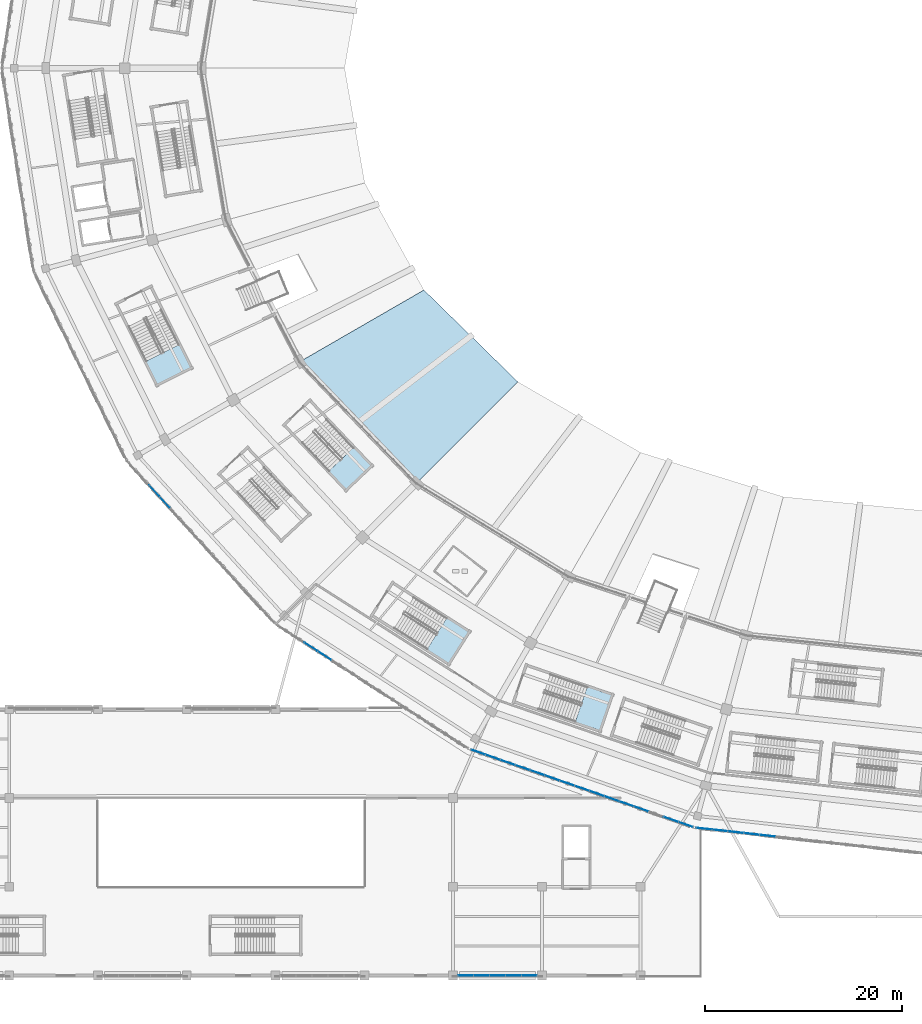
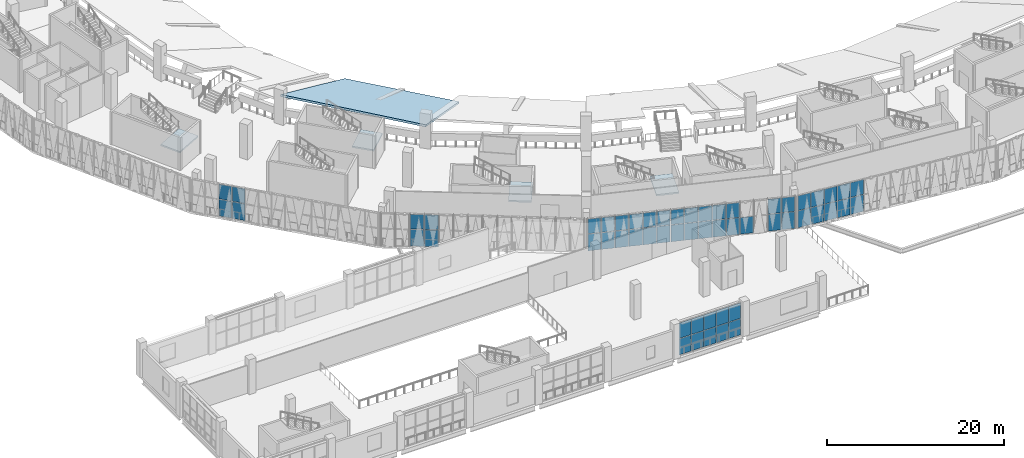
# One storey, part 74 of 183: 55 plates, 5 slabs, 9 elements without a shape of their own.
"""IFC4 building model written with IfcOpenShell, lengths in metres."""

import ifcopenshell
import ifcopenshell.guid

model = None  # the IFC model being written
_history = None  # IfcOwnerHistory: only IFC2X3 demands one
_inside = {}  # id of a spatial element -> (the spatial element, [elements in it])
_under = {}  # id of a project, library or spatial element -> (it, [spatial elements below it])
_declared = {}  # id of a project -> (the project, [libraries it declares])
_typed = {}  # id of a type object -> (the type object, [elements of that type])
_made_of = {}  # id of a material, layer set ... -> (it, [elements and type objects made of it])


def new_model(schema):
    """Start an empty IFC model of exactly this schema.

    Asked for "IFC4X3", IfcOpenShell would pick the latest addendum, in which some entities
    have other attributes; the version numbers below select the first issue.
    IFC2X3 requires an IfcOwnerHistory on every rooted entity: one is made here for all.
    """
    global model, _history
    if schema == "IFC4X3":
        model = ifcopenshell.file(schema_version=(4, 3, 0, 0))
    else:
        model = ifcopenshell.file(schema=schema)
    _inside.clear()
    _under.clear()
    _declared.clear()
    _typed.clear()
    _made_of.clear()
    _history = None
    if model.schema == "IFC2X3":
        org = make("IfcOrganization", Name="unknown")
        user = make(
            "IfcPersonAndOrganization",
            ThePerson=make("IfcPerson", FamilyName="unknown"),
            TheOrganization=org,
        )
        app = make(
            "IfcApplication",
            ApplicationDeveloper=org,
            Version="unknown",
            ApplicationFullName="unknown",
            ApplicationIdentifier="unknown",
        )
        _history = make(
            "IfcOwnerHistory",
            OwningUser=user,
            OwningApplication=app,
            ChangeAction="ADDED",
            CreationDate=0,
        )
    return model


def make(cls, **values):
    """One entity of the class cls with the attributes given. An attribute that is None is left unset."""
    return model.create_entity(
        cls, **{name: value for name, value in values.items() if value is not None}
    )


def rooted(cls, **values):
    """An entity with a GlobalId (a new one), such as an element, a storey or a relation."""
    return make(cls, GlobalId=ifcopenshell.guid.new(), OwnerHistory=_history, **values)


def si_unit(unit_type, name, prefix=None):
    """IfcSIUnit, for example si_unit("LENGTHUNIT", "METRE", prefix="MILLI")."""
    return make("IfcSIUnit", UnitType=unit_type, Prefix=prefix, Name=name)


def assignment(units):
    """IfcUnitAssignment: the units of a project."""
    return None if units is None else make("IfcUnitAssignment", Units=units)


def point(xyz):
    """IfcCartesianPoint."""
    return None if xyz is None else make("IfcCartesianPoint", Coordinates=xyz)


def direction(xyz):
    """IfcDirection."""
    return None if xyz is None else make("IfcDirection", DirectionRatios=xyz)


def frame(location, z_axis=None, x_axis=None):
    """IfcAxis2Placement3D, a coordinate frame: its origin and axes. An axis left out is left unset."""
    return make(
        "IfcAxis2Placement3D",
        Location=point(location),
        Axis=direction(z_axis),
        RefDirection=direction(x_axis),
    )


def frame_2d(location, x_axis=None):
    """IfcAxis2Placement2D, a coordinate frame in the plane: its origin and x axis."""
    return make(
        "IfcAxis2Placement2D", Location=point(location), RefDirection=direction(x_axis)
    )


def origin():
    """The frame at (0, 0, 0) with its axes left unset."""
    return frame((0.0, 0.0, 0.0))


def origin_2d():
    """The frame at (0, 0) in the plane with its x axis left unset."""
    return frame_2d((0.0, 0.0))


def place(relative_to, where):
    """IfcLocalPlacement: puts the frame where relative to a parent placement (None: the world)."""
    return make(
        "IfcLocalPlacement", PlacementRelTo=relative_to, RelativePlacement=where
    )


def context(
    kind, dimensions, precision=None, world=None, true_north=None, identifier=None
):
    """IfcGeometricRepresentationContext, for example the 3D "Model" context."""
    return make(
        "IfcGeometricRepresentationContext",
        ContextIdentifier=identifier,
        ContextType=kind,
        CoordinateSpaceDimension=dimensions,
        Precision=precision,
        WorldCoordinateSystem=world,
        TrueNorth=true_north,
    )


def subcontext(parent, identifier, kind, view, scale=None):
    """IfcGeometricRepresentationSubContext, for example "Body" below "Model"."""
    return make(
        "IfcGeometricRepresentationSubContext",
        ContextIdentifier=identifier,
        ContextType=kind,
        ParentContext=parent,
        TargetScale=scale,
        TargetView=view,
    )


def project(units=None, contexts=None):
    """IfcProject with its units and contexts."""
    return rooted(
        "IfcProject",
        Name="project",
        RepresentationContexts=contexts,
        UnitsInContext=assignment(units),
    )


def spatial(cls, under=None, at=None, **own):
    """A site, building, storey or space (cls), placed at a placement, below another one or the project."""
    s = rooted(cls, ObjectPlacement=at, **own)
    if under is not None:
        _under.setdefault(under.id(), (under, []))[1].append(s)
    return s


def polyline(points):
    """IfcPolyline through the points."""
    return make("IfcPolyline", Points=[point(p) for p in points])


def profile(cls, at=None, kind="AREA", **sizes):
    """A parametric profile (cls). Its sizes go by their IFC names, for example OverallWidth=200.0."""
    return make(cls, ProfileType=kind, Position=at, **sizes)


def rectangle(**sizes):
    """IfcRectangleProfileDef."""
    return profile("IfcRectangleProfileDef", **sizes)


def outline(outer, holes=None, kind="AREA"):
    """IfcArbitraryClosedProfileDef: a profile drawn as a closed curve; with holes, ...WithVoids."""
    if holes is None:
        return make("IfcArbitraryClosedProfileDef", ProfileType=kind, OuterCurve=outer)
    return make(
        "IfcArbitraryProfileDefWithVoids",
        ProfileType=kind,
        OuterCurve=outer,
        InnerCurves=holes,
    )


def extrude(swept, where, along, depth):
    """IfcExtrudedAreaSolid: the profile swept, set in the frame where, extruded along a direction by depth."""
    return make(
        "IfcExtrudedAreaSolid",
        SweptArea=swept,
        Position=where,
        ExtrudedDirection=direction(along),
        Depth=depth,
    )


def shape(context_of_items, identifier, shape_type, items):
    """IfcShapeRepresentation: the items that make up one representation, for example the "Body"."""
    return make(
        "IfcShapeRepresentation",
        ContextOfItems=context_of_items,
        RepresentationIdentifier=identifier,
        RepresentationType=shape_type,
        Items=items,
    )


def material(Name=None, Category=None):
    """IfcMaterial."""
    return make("IfcMaterial", Name=Name, Category=Category)


def layer(
    of_material, thickness, ventilated=None, Name=None, Category=None, Priority=None
):
    """IfcMaterialLayer: one layer of a wall or slab, of a material (None: an air gap)."""
    return make(
        "IfcMaterialLayer",
        Material=of_material,
        LayerThickness=thickness,
        IsVentilated=ventilated,
        Name=Name,
        Category=Category,
        Priority=Priority,
    )


def layer_set(layers, Name=None):
    """IfcMaterialLayerSet."""
    return make("IfcMaterialLayerSet", MaterialLayers=layers, LayerSetName=Name)


def made_of(thing, what):
    """Note that an element or type object is made of a material, layer set ...; save() writes the relation."""
    if what is not None:
        _made_of.setdefault(what.id(), (what, []))[1].append(thing)
    return thing


def type_object(cls, material=None, **own):
    """A type object (cls), such as IfcWallType, which elements share."""
    return made_of(rooted(cls, **own), material)


def element(
    cls,
    number,
    at=None,
    inside=None,
    cuts=None,
    type_object=None,
    material=None,
    context=None,
    identifier="Body",
    shape_type=None,
    held_by="IfcProductDefinitionShape",
    body=None,
    shapes=None,
    **own,
):
    """One element of the class cls, such as IfcWall. Its Tag is "e" and its number.

    at: its placement. inside: the storey or other place that contains it. cuts: it is an
    opening in that element (IfcRelVoidsElement). A single representation is given by context,
    identifier, shape_type and body (its items); several are given by shapes. held_by: the class
    of the entity that holds the representations. save() writes the other relations.
    """
    e = rooted(cls, Tag="e%d" % number, ObjectPlacement=at, **own)
    if body is not None:
        shapes = [shape(context, identifier, shape_type, body)]
    if shapes is not None:
        e.Representation = make(held_by, Representations=shapes)
    if inside is not None:
        _inside.setdefault(inside.id(), (inside, []))[1].append(e)
    if cuts is not None:
        rooted(
            "IfcRelVoidsElement", RelatingBuildingElement=cuts, RelatedOpeningElement=e
        )
    if type_object is not None:
        _typed.setdefault(type_object.id(), (type_object, []))[1].append(e)
    return made_of(e, material)


def aggregate(whole, parts):
    """IfcRelAggregates: a whole, such as a stair, and the parts it consists of."""
    return rooted("IfcRelAggregates", RelatingObject=whole, RelatedObjects=parts)


def save(model, path):
    """Write the relations noted so far, then the file.

    IfcRelAggregates (storeys below a building ...), IfcRelContainedInSpatialStructure (elements
    in a storey), IfcRelDefinesByType, IfcRelAssociatesMaterial and IfcRelDeclares: one each for
    every whole, place, type object, material and project.
    """
    for whole, parts in _under.values():
        aggregate(whole, parts)
    for where, things in _inside.values():
        rooted(
            "IfcRelContainedInSpatialStructure",
            RelatedElements=things,
            RelatingStructure=where,
        )
    for kind, things in _typed.values():
        rooted("IfcRelDefinesByType", RelatedObjects=things, RelatingType=kind)
    for what, things in _made_of.values():
        rooted("IfcRelAssociatesMaterial", RelatedObjects=things, RelatingMaterial=what)
    for by, libraries in _declared.values():
        rooted("IfcRelDeclares", RelatingContext=by, RelatedDefinitions=libraries)
    model.write(path)


model = new_model("IFC4")

# Units and contexts
model_context = context("Model", 3, precision=1e-05, world=origin(), true_north=direction((0.0, 1.0)))
body_context = subcontext(model_context, "Body", "Model", "MODEL_VIEW")
ifc_project = project(units=[si_unit("LENGTHUNIT", "METRE"), si_unit("AREAUNIT", "SQUARE_METRE"), si_unit("VOLUMEUNIT", "CUBIC_METRE"), si_unit("PLANEANGLEUNIT", "RADIAN"), si_unit("MASSUNIT", "GRAM", prefix="KILO")], contexts=[model_context])

# Site, building, storey
site_placement = place(None, origin())
site = spatial("IfcSite", under=ifc_project, at=site_placement, CompositionType="ELEMENT")
building_placement = place(site_placement, origin())
building = spatial("IfcBuilding", under=site, at=building_placement, Name="Zevraka Park Crest Stadium", CompositionType="ELEMENT")
storey_placement = place(building_placement, frame((0.0, 0.0, 5.39990234375)))
storey = spatial("IfcBuildingStorey", under=building, at=storey_placement, Name="L01", CompositionType="ELEMENT", Elevation=5.39990234375)

# Curtain wall, plates
ifc_material_1 = material(Name="Anodised architectural aluminium and laminated safety glass", Category="aluminium")
curtain_wall_type_1 = type_object("IfcCurtainWallType", Name="CW01", PredefinedType="NOTDEFINED", material=ifc_material_1)
curtain_wall_1_placement = place(storey_placement, origin())
curtain_wall_1 = element("IfcCurtainWall", 1, at=curtain_wall_1_placement, inside=storey, type_object=curtain_wall_type_1, Name="Unitised Ring Curtain Wall CW01 L01-17", PredefinedType="NOTDEFINED")
ifc_material_2 = material(Name="Solar-control laminated double glazing", Category="glass")
ifc_layer_1 = layer(ifc_material_2, 0.028076171875)
ifc_layer_set_1 = layer_set([ifc_layer_1], Name="Solar-control laminated double glazing")
plate_type_1 = type_object("IfcPlateType", Name="CP01", PredefinedType="CURTAIN_PANEL", material=ifc_layer_set_1)
plate_1_placement = place(storey_placement, frame((88.435546875, 14.891845703125, 0.06005859375), z_axis=(0.0, 0.0, 1.0), x_axis=(0.993916668414, -0.110134718639, 0.0)))
plate_1 = element("IfcPlate", 2, at=plate_1_placement, type_object=plate_type_1, Name="CW01 panel 1.1", PredefinedType="CURTAIN_PANEL", context=body_context, shape_type="SweptSolid", body=[
    extrude(rectangle(XDim=1.537109375, YDim=0.028076171875, at=origin_2d()), origin(), (0.0, 0.0, 1.0), 2.31005859375),
])
plate_2_placement = place(storey_placement, frame((88.435546875, 14.891845703125, 2.43017578125), z_axis=(0.0, 0.0, 1.0), x_axis=(0.993916668414, -0.110134718639, 0.0)))
plate_2 = element("IfcPlate", 3, at=plate_2_placement, type_object=plate_type_1, Name="CW01 panel 1.2", PredefinedType="CURTAIN_PANEL", context=body_context, shape_type="SweptSolid", body=[
    extrude(rectangle(XDim=1.537109375, YDim=0.028076171875, at=origin_2d()), origin(), (0.0, 0.0, 1.0), 2.030029296875),
])
plate_3_placement = place(storey_placement, frame((90.037841796875, 14.714111328125, 0.06005859375), z_axis=(0.0, 0.0, 1.0), x_axis=(0.993916668414, -0.110134718639, 0.0)))
plate_3 = element("IfcPlate", 4, at=plate_3_placement, type_object=plate_type_1, Name="CW01 panel 2.1", PredefinedType="CURTAIN_PANEL", context=body_context, shape_type="SweptSolid", body=[
    extrude(rectangle(XDim=1.567138671875, YDim=0.028076171875, at=origin_2d()), origin(), (0.0, 0.0, 1.0), 2.31005859375),
])
plate_4_placement = place(storey_placement, frame((90.037841796875, 14.714111328125, 2.43017578125), z_axis=(0.0, 0.0, 1.0), x_axis=(0.993916668414, -0.110134718639, 0.0)))
plate_4 = element("IfcPlate", 5, at=plate_4_placement, type_object=plate_type_1, Name="CW01 panel 2.2", PredefinedType="CURTAIN_PANEL", context=body_context, shape_type="SweptSolid", body=[
    extrude(rectangle(XDim=1.567138671875, YDim=0.028076171875, at=origin_2d()), origin(), (0.0, 0.0, 1.0), 2.030029296875),
])
plate_5_placement = place(storey_placement, frame((91.655029296875, 14.534912109375, 0.06005859375), z_axis=(0.0, 0.0, 1.0), x_axis=(0.993916668414, -0.110134718639, 0.0)))
plate_5 = element("IfcPlate", 6, at=plate_5_placement, type_object=plate_type_1, Name="CW01 panel 3.1", PredefinedType="CURTAIN_PANEL", context=body_context, shape_type="SweptSolid", body=[
    extrude(rectangle(XDim=1.567138671875, YDim=0.028076171875, at=origin_2d()), origin(), (0.0, 0.0, 1.0), 2.31005859375),
])
plate_6_placement = place(storey_placement, frame((91.655029296875, 14.534912109375, 2.43017578125), z_axis=(0.0, 0.0, 1.0), x_axis=(0.993916668414, -0.110134718639, 0.0)))
plate_6 = element("IfcPlate", 7, at=plate_6_placement, type_object=plate_type_1, Name="CW01 panel 3.2", PredefinedType="CURTAIN_PANEL", context=body_context, shape_type="SweptSolid", body=[
    extrude(rectangle(XDim=1.567138671875, YDim=0.028076171875, at=origin_2d()), origin(), (0.0, 0.0, 1.0), 2.030029296875),
])
plate_7_placement = place(storey_placement, frame((93.272216796875, 14.355712890625, 0.06005859375), z_axis=(0.0, 0.0, 1.0), x_axis=(0.993916668414, -0.110134718639, 0.0)))
plate_7 = element("IfcPlate", 8, at=plate_7_placement, type_object=plate_type_1, Name="CW01 panel 4.1", PredefinedType="CURTAIN_PANEL", context=body_context, shape_type="SweptSolid", body=[
    extrude(rectangle(XDim=1.567138671875, YDim=0.028076171875, at=origin_2d()), origin(), (0.0, 0.0, 1.0), 2.31005859375),
])
plate_8_placement = place(storey_placement, frame((93.272216796875, 14.355712890625, 2.43017578125), z_axis=(0.0, 0.0, 1.0), x_axis=(0.993916668414, -0.110134718639, 0.0)))
plate_8 = element("IfcPlate", 9, at=plate_8_placement, type_object=plate_type_1, Name="CW01 panel 4.2", PredefinedType="CURTAIN_PANEL", context=body_context, shape_type="SweptSolid", body=[
    extrude(rectangle(XDim=1.567138671875, YDim=0.028076171875, at=origin_2d()), origin(), (0.0, 0.0, 1.0), 2.030029296875),
])
plate_9_placement = place(storey_placement, frame((94.889404296875, 14.176513671875, 0.06005859375), z_axis=(0.0, 0.0, 1.0), x_axis=(0.993916668414, -0.110134718639, 0.0)))
plate_9 = element("IfcPlate", 10, at=plate_9_placement, type_object=plate_type_1, Name="CW01 panel 5.1", PredefinedType="CURTAIN_PANEL", context=body_context, shape_type="SweptSolid", body=[
    extrude(rectangle(XDim=1.567138671875, YDim=0.028076171875, at=origin_2d()), origin(), (0.0, 0.0, 1.0), 2.31005859375),
])
plate_10_placement = place(storey_placement, frame((94.889404296875, 14.176513671875, 2.43017578125), z_axis=(0.0, 0.0, 1.0), x_axis=(0.993916668414, -0.110134718639, 0.0)))
plate_10 = element("IfcPlate", 11, at=plate_10_placement, type_object=plate_type_1, Name="CW01 panel 5.2", PredefinedType="CURTAIN_PANEL", context=body_context, shape_type="SweptSolid", body=[
    extrude(rectangle(XDim=1.567138671875, YDim=0.028076171875, at=origin_2d()), origin(), (0.0, 0.0, 1.0), 2.030029296875),
])
aggregate(curtain_wall_1, [plate_1, plate_2, plate_3, plate_4, plate_5, plate_6, plate_7, plate_8, plate_9, plate_10])

ifc_material_3 = material(Name="Anodised architectural aluminium and laminated safety glass", Category="aluminium")
curtain_wall_type_2 = type_object("IfcCurtainWallType", Name="CW02", PredefinedType="NOTDEFINED", material=ifc_material_3)
curtain_wall_2_placement = place(storey_placement, origin())
curtain_wall_2 = element("IfcCurtainWall", 12, at=curtain_wall_2_placement, inside=storey, type_object=curtain_wall_type_2, Name="Unitised Ring Curtain Wall CW02 L01-16", PredefinedType="NOTDEFINED")
ifc_material_4 = material(Name="Solar-control laminated double glazing", Category="glass")
ifc_layer_2 = layer(ifc_material_4, 0.028076171875)
ifc_layer_set_2 = layer_set([ifc_layer_2], Name="Solar-control laminated double glazing")
plate_type_2 = type_object("IfcPlateType", Name="CP02", PredefinedType="CURTAIN_PANEL", material=ifc_layer_set_2)
plate_11_placement = place(storey_placement, frame((65.527587890625, 22.652099609375, 0.06494140625), z_axis=(0.0, 0.0, 1.0), x_axis=(0.944256979565, -0.329209289879, 0.0)))
plate_11 = element("IfcPlate", 13, at=plate_11_placement, type_object=plate_type_2, Name="CW02 panel 1.1", PredefinedType="CURTAIN_PANEL", context=body_context, shape_type="SweptSolid", body=[
    extrude(rectangle(XDim=1.498046875, YDim=0.028076171875, at=origin_2d()), origin(), (0.0, 0.0, 1.0), 2.302490234375),
])
plate_12_placement = place(storey_placement, frame((65.527587890625, 22.652099609375, 2.4326171875), z_axis=(0.0, 0.0, 1.0), x_axis=(0.944256979565, -0.329209289879, 0.0)))
plate_12 = element("IfcPlate", 14, at=plate_12_placement, type_object=plate_type_2, Name="CW02 panel 1.2", PredefinedType="CURTAIN_PANEL", context=body_context, shape_type="SweptSolid", body=[
    extrude(rectangle(XDim=1.498046875, YDim=0.028076171875, at=origin_2d()), origin(), (0.0, 0.0, 1.0), 2.0224609375),
])
plate_13_placement = place(storey_placement, frame((67.018798828125, 22.132080078125, 0.06494140625), z_axis=(0.0, 0.0, 1.0), x_axis=(0.944256979565, -0.329209289879, 0.0)))
plate_13 = element("IfcPlate", 15, at=plate_13_placement, type_object=plate_type_2, Name="CW02 panel 2.1", PredefinedType="CURTAIN_PANEL", context=body_context, shape_type="SweptSolid", body=[
    extrude(rectangle(XDim=1.530517578125, YDim=0.028076171875, at=origin_2d()), origin(), (0.0, 0.0, 1.0), 2.302490234375),
])
plate_14_placement = place(storey_placement, frame((67.018798828125, 22.132080078125, 2.4326171875), z_axis=(0.0, 0.0, 1.0), x_axis=(0.944256979565, -0.329209289879, 0.0)))
plate_14 = element("IfcPlate", 16, at=plate_14_placement, type_object=plate_type_2, Name="CW02 panel 2.2", PredefinedType="CURTAIN_PANEL", context=body_context, shape_type="SweptSolid", body=[
    extrude(rectangle(XDim=1.530517578125, YDim=0.028076171875, at=origin_2d()), origin(), (0.0, 0.0, 1.0), 2.0224609375),
])
plate_15_placement = place(storey_placement, frame((68.525390625, 21.60693359375, 0.06494140625), z_axis=(0.0, 0.0, 1.0), x_axis=(0.944256979565, -0.329209289879, 0.0)))
plate_15 = element("IfcPlate", 17, at=plate_15_placement, type_object=plate_type_2, Name="CW02 panel 3.1", PredefinedType="CURTAIN_PANEL", context=body_context, shape_type="SweptSolid", body=[
    extrude(rectangle(XDim=1.530517578125, YDim=0.028076171875, at=origin_2d()), origin(), (0.0, 0.0, 1.0), 2.302490234375),
])
plate_16_placement = place(storey_placement, frame((68.525390625, 21.60693359375, 2.4326171875), z_axis=(0.0, 0.0, 1.0), x_axis=(0.944256979565, -0.329209289879, 0.0)))
plate_16 = element("IfcPlate", 18, at=plate_16_placement, type_object=plate_type_2, Name="CW02 panel 3.2", PredefinedType="CURTAIN_PANEL", context=body_context, shape_type="SweptSolid", body=[
    extrude(rectangle(XDim=1.530517578125, YDim=0.028076171875, at=origin_2d()), origin(), (0.0, 0.0, 1.0), 2.0224609375),
])
plate_17_placement = place(storey_placement, frame((70.031982421875, 21.08154296875, 0.06494140625), z_axis=(0.0, 0.0, 1.0), x_axis=(0.944256979565, -0.329209289879, 0.0)))
plate_17 = element("IfcPlate", 19, at=plate_17_placement, type_object=plate_type_2, Name="CW02 panel 4.1", PredefinedType="CURTAIN_PANEL", context=body_context, shape_type="SweptSolid", body=[
    extrude(rectangle(XDim=1.530517578125, YDim=0.028076171875, at=origin_2d()), origin(), (0.0, 0.0, 1.0), 2.302490234375),
])
plate_18_placement = place(storey_placement, frame((70.031982421875, 21.08154296875, 2.4326171875), z_axis=(0.0, 0.0, 1.0), x_axis=(0.944256979565, -0.329209289879, 0.0)))
plate_18 = element("IfcPlate", 20, at=plate_18_placement, type_object=plate_type_2, Name="CW02 panel 4.2", PredefinedType="CURTAIN_PANEL", context=body_context, shape_type="SweptSolid", body=[
    extrude(rectangle(XDim=1.530517578125, YDim=0.028076171875, at=origin_2d()), origin(), (0.0, 0.0, 1.0), 2.0224609375),
])
plate_19_placement = place(storey_placement, frame((71.538818359375, 20.556396484375, 0.06494140625), z_axis=(0.0, 0.0, 1.0), x_axis=(0.944256979565, -0.329209289879, 0.0)))
plate_19 = element("IfcPlate", 21, at=plate_19_placement, type_object=plate_type_2, Name="CW02 panel 5.1", PredefinedType="CURTAIN_PANEL", context=body_context, shape_type="SweptSolid", body=[
    extrude(rectangle(XDim=1.530517578125, YDim=0.028076171875, at=origin_2d()), origin(), (0.0, 0.0, 1.0), 2.302490234375),
])
plate_20_placement = place(storey_placement, frame((71.538818359375, 20.556396484375, 2.4326171875), z_axis=(0.0, 0.0, 1.0), x_axis=(0.944256979565, -0.329209289879, 0.0)))
plate_20 = element("IfcPlate", 22, at=plate_20_placement, type_object=plate_type_2, Name="CW02 panel 5.2", PredefinedType="CURTAIN_PANEL", context=body_context, shape_type="SweptSolid", body=[
    extrude(rectangle(XDim=1.530517578125, YDim=0.028076171875, at=origin_2d()), origin(), (0.0, 0.0, 1.0), 2.0224609375),
])
plate_21_placement = place(storey_placement, frame((73.04541015625, 20.031005859375, 0.06494140625), z_axis=(0.0, 0.0, 1.0), x_axis=(0.944256979565, -0.329209289879, 0.0)))
plate_21 = element("IfcPlate", 23, at=plate_21_placement, type_object=plate_type_2, Name="CW02 panel 6.1", PredefinedType="CURTAIN_PANEL", context=body_context, shape_type="SweptSolid", body=[
    extrude(rectangle(XDim=1.530517578125, YDim=0.028076171875, at=origin_2d()), origin(), (0.0, 0.0, 1.0), 2.302490234375),
])
plate_22_placement = place(storey_placement, frame((73.04541015625, 20.031005859375, 2.4326171875), z_axis=(0.0, 0.0, 1.0), x_axis=(0.944256979565, -0.329209289879, 0.0)))
plate_22 = element("IfcPlate", 24, at=plate_22_placement, type_object=plate_type_2, Name="CW02 panel 6.2", PredefinedType="CURTAIN_PANEL", context=body_context, shape_type="SweptSolid", body=[
    extrude(rectangle(XDim=1.530517578125, YDim=0.028076171875, at=origin_2d()), origin(), (0.0, 0.0, 1.0), 2.0224609375),
])
plate_23_placement = place(storey_placement, frame((74.552001953125, 19.505859375, 0.06494140625), z_axis=(0.0, 0.0, 1.0), x_axis=(0.944256979565, -0.329209289879, 0.0)))
plate_23 = element("IfcPlate", 25, at=plate_23_placement, type_object=plate_type_2, Name="CW02 panel 7.1", PredefinedType="CURTAIN_PANEL", context=body_context, shape_type="SweptSolid", body=[
    extrude(rectangle(XDim=1.530517578125, YDim=0.028076171875, at=origin_2d()), origin(), (0.0, 0.0, 1.0), 2.302490234375),
])
plate_24_placement = place(storey_placement, frame((74.552001953125, 19.505859375, 2.4326171875), z_axis=(0.0, 0.0, 1.0), x_axis=(0.944256979565, -0.329209289879, 0.0)))
plate_24 = element("IfcPlate", 26, at=plate_24_placement, type_object=plate_type_2, Name="CW02 panel 7.2", PredefinedType="CURTAIN_PANEL", context=body_context, shape_type="SweptSolid", body=[
    extrude(rectangle(XDim=1.530517578125, YDim=0.028076171875, at=origin_2d()), origin(), (0.0, 0.0, 1.0), 2.0224609375),
])
plate_25_placement = place(storey_placement, frame((76.05859375, 18.98046875, 0.06494140625), z_axis=(0.0, 0.0, 1.0), x_axis=(0.944256979565, -0.329209289879, 0.0)))
plate_25 = element("IfcPlate", 27, at=plate_25_placement, type_object=plate_type_2, Name="CW02 panel 8.1", PredefinedType="CURTAIN_PANEL", context=body_context, shape_type="SweptSolid", body=[
    extrude(rectangle(XDim=1.530517578125, YDim=0.028076171875, at=origin_2d()), origin(), (0.0, 0.0, 1.0), 2.302490234375),
])
plate_26_placement = place(storey_placement, frame((76.05859375, 18.98046875, 2.4326171875), z_axis=(0.0, 0.0, 1.0), x_axis=(0.944256979565, -0.329209289879, 0.0)))
plate_26 = element("IfcPlate", 28, at=plate_26_placement, type_object=plate_type_2, Name="CW02 panel 8.2", PredefinedType="CURTAIN_PANEL", context=body_context, shape_type="SweptSolid", body=[
    extrude(rectangle(XDim=1.530517578125, YDim=0.028076171875, at=origin_2d()), origin(), (0.0, 0.0, 1.0), 2.0224609375),
])
plate_27_placement = place(storey_placement, frame((77.565185546875, 18.455322265625, 0.06494140625), z_axis=(0.0, 0.0, 1.0), x_axis=(0.944256979565, -0.329209289879, 0.0)))
plate_27 = element("IfcPlate", 29, at=plate_27_placement, type_object=plate_type_2, Name="CW02 panel 9.1", PredefinedType="CURTAIN_PANEL", context=body_context, shape_type="SweptSolid", body=[
    extrude(rectangle(XDim=1.530517578125, YDim=0.028076171875, at=origin_2d()), origin(), (0.0, 0.0, 1.0), 2.302490234375),
])
plate_28_placement = place(storey_placement, frame((77.565185546875, 18.455322265625, 2.4326171875), z_axis=(0.0, 0.0, 1.0), x_axis=(0.944256979565, -0.329209289879, 0.0)))
plate_28 = element("IfcPlate", 30, at=plate_28_placement, type_object=plate_type_2, Name="CW02 panel 9.2", PredefinedType="CURTAIN_PANEL", context=body_context, shape_type="SweptSolid", body=[
    extrude(rectangle(XDim=1.530517578125, YDim=0.028076171875, at=origin_2d()), origin(), (0.0, 0.0, 1.0), 2.0224609375),
])
plate_29_placement = place(storey_placement, frame((79.07177734375, 17.929931640625, 0.06494140625), z_axis=(0.0, 0.0, 1.0), x_axis=(0.944256979565, -0.329209289879, 0.0)))
plate_29 = element("IfcPlate", 31, at=plate_29_placement, type_object=plate_type_2, Name="CW02 panel 10.1", PredefinedType="CURTAIN_PANEL", context=body_context, shape_type="SweptSolid", body=[
    extrude(rectangle(XDim=1.530517578125, YDim=0.028076171875, at=origin_2d()), origin(), (0.0, 0.0, 1.0), 2.302490234375),
])
plate_30_placement = place(storey_placement, frame((79.07177734375, 17.929931640625, 2.4326171875), z_axis=(0.0, 0.0, 1.0), x_axis=(0.944256979565, -0.329209289879, 0.0)))
plate_30 = element("IfcPlate", 32, at=plate_30_placement, type_object=plate_type_2, Name="CW02 panel 10.2", PredefinedType="CURTAIN_PANEL", context=body_context, shape_type="SweptSolid", body=[
    extrude(rectangle(XDim=1.530517578125, YDim=0.028076171875, at=origin_2d()), origin(), (0.0, 0.0, 1.0), 2.0224609375),
])
plate_31_placement = place(storey_placement, frame((80.578369140625, 17.40478515625, 0.06494140625), z_axis=(0.0, 0.0, 1.0), x_axis=(0.944256979565, -0.329209289879, 0.0)))
plate_31 = element("IfcPlate", 33, at=plate_31_placement, type_object=plate_type_2, Name="CW02 panel 11.1", PredefinedType="CURTAIN_PANEL", context=body_context, shape_type="SweptSolid", body=[
    extrude(rectangle(XDim=1.530517578125, YDim=0.028076171875, at=origin_2d()), origin(), (0.0, 0.0, 1.0), 2.302490234375),
])
plate_32_placement = place(storey_placement, frame((80.578369140625, 17.40478515625, 2.4326171875), z_axis=(0.0, 0.0, 1.0), x_axis=(0.944256979565, -0.329209289879, 0.0)))
plate_32 = element("IfcPlate", 34, at=plate_32_placement, type_object=plate_type_2, Name="CW02 panel 11.2", PredefinedType="CURTAIN_PANEL", context=body_context, shape_type="SweptSolid", body=[
    extrude(rectangle(XDim=1.530517578125, YDim=0.028076171875, at=origin_2d()), origin(), (0.0, 0.0, 1.0), 2.0224609375),
])
plate_33_placement = place(storey_placement, frame((82.0849609375, 16.87939453125, 0.06494140625), z_axis=(0.0, 0.0, 1.0), x_axis=(0.944256979565, -0.329209289879, 0.0)))
plate_33 = element("IfcPlate", 35, at=plate_33_placement, type_object=plate_type_2, Name="CW02 panel 12.1", PredefinedType="CURTAIN_PANEL", context=body_context, shape_type="SweptSolid", body=[
    extrude(rectangle(XDim=1.530517578125, YDim=0.028076171875, at=origin_2d()), origin(), (0.0, 0.0, 1.0), 2.302490234375),
])
plate_34_placement = place(storey_placement, frame((85.09814453125, 15.828857421875, 0.06494140625), z_axis=(0.0, 0.0, 1.0), x_axis=(0.944256979565, -0.329209289879, 0.0)))
plate_34 = element("IfcPlate", 36, at=plate_34_placement, type_object=plate_type_2, Name="CW02 panel 14.1", PredefinedType="CURTAIN_PANEL", context=body_context, shape_type="SweptSolid", body=[
    extrude(rectangle(XDim=1.530517578125, YDim=0.028076171875, at=origin_2d()), origin(), (0.0, 0.0, 1.0), 2.302490234375),
])
plate_35_placement = place(storey_placement, frame((85.09814453125, 15.828857421875, 2.4326171875), z_axis=(0.0, 0.0, 1.0), x_axis=(0.944256979565, -0.329209289879, 0.0)))
plate_35 = element("IfcPlate", 37, at=plate_35_placement, type_object=plate_type_2, Name="CW02 panel 14.2", PredefinedType="CURTAIN_PANEL", context=body_context, shape_type="SweptSolid", body=[
    extrude(rectangle(XDim=1.530517578125, YDim=0.028076171875, at=origin_2d()), origin(), (0.0, 0.0, 1.0), 2.0224609375),
])
plate_36_placement = place(storey_placement, frame((86.58935546875, 15.30908203125, 0.06494140625), z_axis=(0.0, 0.0, 1.0), x_axis=(0.944256979565, -0.329209289879, 0.0)))
plate_36 = element("IfcPlate", 38, at=plate_36_placement, type_object=plate_type_2, Name="CW02 panel 15.1", PredefinedType="CURTAIN_PANEL", context=body_context, shape_type="SweptSolid", body=[
    extrude(rectangle(XDim=1.498046875, YDim=0.028076171875, at=origin_2d()), origin(), (0.0, 0.0, 1.0), 2.302490234375),
])
plate_37_placement = place(storey_placement, frame((86.58935546875, 15.30908203125, 2.4326171875), z_axis=(0.0, 0.0, 1.0), x_axis=(0.944256979565, -0.329209289879, 0.0)))
plate_37 = element("IfcPlate", 39, at=plate_37_placement, type_object=plate_type_2, Name="CW02 panel 15.2", PredefinedType="CURTAIN_PANEL", context=body_context, shape_type="SweptSolid", body=[
    extrude(rectangle(XDim=1.498046875, YDim=0.028076171875, at=origin_2d()), origin(), (0.0, 0.0, 1.0), 2.0224609375),
])
aggregate(curtain_wall_2, [plate_11, plate_12, plate_13, plate_14, plate_15, plate_16, plate_17, plate_18, plate_19, plate_20, plate_21, plate_22, plate_23, plate_24, plate_25, plate_26, plate_27, plate_28, plate_29, plate_30, plate_31, plate_32, plate_33, plate_34, plate_35, plate_36, plate_37])

ifc_material_5 = material(Name="Anodised architectural aluminium and laminated safety glass", Category="aluminium")
curtain_wall_type_3 = type_object("IfcCurtainWallType", Name="CW03", PredefinedType="NOTDEFINED", material=ifc_material_5)
curtain_wall_3_placement = place(storey_placement, origin())
curtain_wall_3 = element("IfcCurtainWall", 40, at=curtain_wall_3_placement, inside=storey, type_object=curtain_wall_type_3, Name="Unitised Ring Curtain Wall CW03 L01-14", PredefinedType="NOTDEFINED")
ifc_material_6 = material(Name="Solar-control laminated double glazing", Category="glass")
ifc_layer_3 = layer(ifc_material_6, 0.028076171875)
ifc_layer_set_3 = layer_set([ifc_layer_3], Name="Solar-control laminated double glazing")
plate_type_3 = type_object("IfcPlateType", Name="CP03", PredefinedType="CURTAIN_PANEL", material=ifc_layer_set_3)
plate_38_placement = place(storey_placement, frame((32.710693359375, 49.1357421875, 0.070068359375), z_axis=(0.0, 0.0, 1.0), x_axis=(0.673679672672, -0.739023476371, 0.0)))
plate_38 = element("IfcPlate", 41, at=plate_38_placement, type_object=plate_type_3, Name="CW03 panel 3.1", PredefinedType="CURTAIN_PANEL", context=body_context, shape_type="SweptSolid", body=[
    extrude(rectangle(XDim=1.50732421875, YDim=0.028076171875, at=origin_2d()), origin(), (0.0, 0.0, 1.0), 2.294921875),
])
plate_39_placement = place(storey_placement, frame((32.710693359375, 49.1357421875, 2.43505859375), z_axis=(0.0, 0.0, 1.0), x_axis=(0.673679672672, -0.739023476371, 0.0)))
plate_39 = element("IfcPlate", 42, at=plate_39_placement, type_object=plate_type_3, Name="CW03 panel 3.2", PredefinedType="CURTAIN_PANEL", context=body_context, shape_type="SweptSolid", body=[
    extrude(rectangle(XDim=1.50732421875, YDim=0.028076171875, at=origin_2d()), origin(), (0.0, 0.0, 1.0), 2.014892578125),
])
plate_40_placement = place(storey_placement, frame((33.773193359375, 47.969970703125, 0.070068359375), z_axis=(0.0, 0.0, 1.0), x_axis=(0.673679672672, -0.739023476371, 0.0)))
plate_40 = element("IfcPlate", 43, at=plate_40_placement, type_object=plate_type_3, Name="CW03 panel 4.1", PredefinedType="CURTAIN_PANEL", context=body_context, shape_type="SweptSolid", body=[
    extrude(rectangle(XDim=1.50732421875, YDim=0.028076171875, at=origin_2d()), origin(), (0.0, 0.0, 1.0), 2.294921875),
])
plate_41_placement = place(storey_placement, frame((33.773193359375, 47.969970703125, 2.43505859375), z_axis=(0.0, 0.0, 1.0), x_axis=(0.673679672672, -0.739023476371, 0.0)))
plate_41 = element("IfcPlate", 44, at=plate_41_placement, type_object=plate_type_3, Name="CW03 panel 4.2", PredefinedType="CURTAIN_PANEL", context=body_context, shape_type="SweptSolid", body=[
    extrude(rectangle(XDim=1.50732421875, YDim=0.028076171875, at=origin_2d()), origin(), (0.0, 0.0, 1.0), 2.014892578125),
])
aggregate(curtain_wall_3, [plate_38, plate_39, plate_40, plate_41])

curtain_wall_4_placement = place(storey_placement, origin())
curtain_wall_4 = element("IfcCurtainWall", 45, at=curtain_wall_4_placement, inside=storey, type_object=curtain_wall_type_3, Name="Unitised Ring Curtain Wall CW03 L01-15", PredefinedType="NOTDEFINED")
plate_42_placement = place(storey_placement, frame((48.591064453125, 33.326416015625, 0.070068359375), z_axis=(0.0, 0.0, 1.0), x_axis=(0.840010186018, -0.542570628938, 0.0)))
plate_42 = element("IfcPlate", 46, at=plate_42_placement, type_object=plate_type_3, Name="CW03 panel 3.1", PredefinedType="CURTAIN_PANEL", context=body_context, shape_type="SweptSolid", body=[
    extrude(rectangle(XDim=1.57958984375, YDim=0.028076171875, at=origin_2d()), origin(), (0.0, 0.0, 1.0), 2.294921875),
])
plate_43_placement = place(storey_placement, frame((48.591064453125, 33.326416015625, 2.43505859375), z_axis=(0.0, 0.0, 1.0), x_axis=(0.840010186018, -0.542570628938, 0.0)))
plate_43 = element("IfcPlate", 47, at=plate_43_placement, type_object=plate_type_3, Name="CW03 panel 3.2", PredefinedType="CURTAIN_PANEL", context=body_context, shape_type="SweptSolid", body=[
    extrude(rectangle(XDim=1.57958984375, YDim=0.028076171875, at=origin_2d()), origin(), (0.0, 0.0, 1.0), 2.014892578125),
])
plate_44_placement = place(storey_placement, frame((49.976806640625, 32.431396484375, 0.070068359375), z_axis=(0.0, 0.0, 1.0), x_axis=(0.840010186018, -0.542570628938, 0.0)))
plate_44 = element("IfcPlate", 48, at=plate_44_placement, type_object=plate_type_3, Name="CW03 panel 4.1", PredefinedType="CURTAIN_PANEL", context=body_context, shape_type="SweptSolid", body=[
    extrude(rectangle(XDim=1.57958984375, YDim=0.028076171875, at=origin_2d()), origin(), (0.0, 0.0, 1.0), 2.294921875),
])
plate_45_placement = place(storey_placement, frame((49.976806640625, 32.431396484375, 2.43505859375), z_axis=(0.0, 0.0, 1.0), x_axis=(0.840010186018, -0.542570628938, 0.0)))
plate_45 = element("IfcPlate", 49, at=plate_45_placement, type_object=plate_type_3, Name="CW03 panel 4.2", PredefinedType="CURTAIN_PANEL", context=body_context, shape_type="SweptSolid", body=[
    extrude(rectangle(XDim=1.57958984375, YDim=0.028076171875, at=origin_2d()), origin(), (0.0, 0.0, 1.0), 2.014892578125),
])
aggregate(curtain_wall_4, [plate_42, plate_43, plate_44, plate_45])

ifc_material_7 = material(Name="Anodised architectural aluminium and laminated safety glass", Category="aluminium")
curtain_wall_type_4 = type_object("IfcCurtainWallType", Name="CW28", PredefinedType="NOTDEFINED", material=ifc_material_7)
curtain_wall_5_placement = place(storey_placement, origin())
curtain_wall_5 = element("IfcCurtainWall", 50, at=curtain_wall_5_placement, inside=storey, type_object=curtain_wall_type_4, Name="Wing Curtain Wall CW28 L01-SW-S1-2", PredefinedType="NOTDEFINED")
ifc_material_8 = material(Name="Solar-control laminated double glazing", Category="glass")
ifc_layer_4 = layer(ifc_material_8, 0.035888671875)
ifc_layer_set_4 = layer_set([ifc_layer_4], Name="Solar-control laminated double glazing")
plate_type_4 = type_object("IfcPlateType", Name="CP28", PredefinedType="CURTAIN_PANEL", material=ifc_layer_set_4)
plate_46_placement = place(storey_placement, frame((70.73291015625, 0.0, 0.06005859375), z_axis=(0.0, 0.0, 1.0), x_axis=(-1.0, 0.0, 0.0)))
plate_46 = element("IfcPlate", 51, at=plate_46_placement, type_object=plate_type_4, Name="CW28 panel 1.1", PredefinedType="CURTAIN_PANEL", context=body_context, shape_type="SweptSolid", body=[
    extrude(rectangle(XDim=1.533935546875, YDim=0.035888671875, at=origin_2d()), origin(), (0.0, 0.0, 1.0), 2.2099609375),
])
plate_47_placement = place(storey_placement, frame((70.73291015625, 0.0, 2.330078125), z_axis=(0.0, 0.0, 1.0), x_axis=(-1.0, 0.0, 0.0)))
plate_47 = element("IfcPlate", 52, at=plate_47_placement, type_object=plate_type_4, Name="CW28 panel 1.2", PredefinedType="CURTAIN_PANEL", context=body_context, shape_type="SweptSolid", body=[
    extrude(rectangle(XDim=1.533935546875, YDim=0.035888671875, at=origin_2d()), origin(), (0.0, 0.0, 1.0), 2.1298828125),
])
plate_48_placement = place(storey_placement, frame((69.1240234375, 0.0, 0.06005859375), z_axis=(0.0, 0.0, 1.0), x_axis=(-1.0, 0.0, 0.0)))
plate_48 = element("IfcPlate", 53, at=plate_48_placement, type_object=plate_type_4, Name="CW28 panel 2.1", PredefinedType="CURTAIN_PANEL", context=body_context, shape_type="SweptSolid", body=[
    extrude(rectangle(XDim=1.56396484375, YDim=0.035888671875, at=origin_2d()), origin(), (0.0, 0.0, 1.0), 2.2099609375),
])
plate_49_placement = place(storey_placement, frame((69.1240234375, 0.0, 2.330078125), z_axis=(0.0, 0.0, 1.0), x_axis=(-1.0, 0.0, 0.0)))
plate_49 = element("IfcPlate", 54, at=plate_49_placement, type_object=plate_type_4, Name="CW28 panel 2.2", PredefinedType="CURTAIN_PANEL", context=body_context, shape_type="SweptSolid", body=[
    extrude(rectangle(XDim=1.56396484375, YDim=0.035888671875, at=origin_2d()), origin(), (0.0, 0.0, 1.0), 2.1298828125),
])
plate_50_placement = place(storey_placement, frame((67.5, 0.0, 0.06005859375), z_axis=(0.0, 0.0, 1.0), x_axis=(-1.0, 0.0, 0.0)))
plate_50 = element("IfcPlate", 55, at=plate_50_placement, type_object=plate_type_4, Name="CW28 panel 3.1", PredefinedType="CURTAIN_PANEL", context=body_context, shape_type="SweptSolid", body=[
    extrude(rectangle(XDim=1.56396484375, YDim=0.035888671875, at=origin_2d()), origin(), (0.0, 0.0, 1.0), 2.2099609375),
])
plate_51_placement = place(storey_placement, frame((67.5, 0.0, 2.330078125), z_axis=(0.0, 0.0, 1.0), x_axis=(-1.0, 0.0, 0.0)))
plate_51 = element("IfcPlate", 56, at=plate_51_placement, type_object=plate_type_4, Name="CW28 panel 3.2", PredefinedType="CURTAIN_PANEL", context=body_context, shape_type="SweptSolid", body=[
    extrude(rectangle(XDim=1.56396484375, YDim=0.035888671875, at=origin_2d()), origin(), (0.0, 0.0, 1.0), 2.1298828125),
])
plate_52_placement = place(storey_placement, frame((65.8759765625, 0.0, 0.06005859375), z_axis=(0.0, 0.0, 1.0), x_axis=(-1.0, 0.0, 0.0)))
plate_52 = element("IfcPlate", 57, at=plate_52_placement, type_object=plate_type_4, Name="CW28 panel 4.1", PredefinedType="CURTAIN_PANEL", context=body_context, shape_type="SweptSolid", body=[
    extrude(rectangle(XDim=1.56396484375, YDim=0.035888671875, at=origin_2d()), origin(), (0.0, 0.0, 1.0), 2.2099609375),
])
plate_53_placement = place(storey_placement, frame((65.8759765625, 0.0, 2.330078125), z_axis=(0.0, 0.0, 1.0), x_axis=(-1.0, 0.0, 0.0)))
plate_53 = element("IfcPlate", 58, at=plate_53_placement, type_object=plate_type_4, Name="CW28 panel 4.2", PredefinedType="CURTAIN_PANEL", context=body_context, shape_type="SweptSolid", body=[
    extrude(rectangle(XDim=1.56396484375, YDim=0.035888671875, at=origin_2d()), origin(), (0.0, 0.0, 1.0), 2.1298828125),
])
plate_54_placement = place(storey_placement, frame((64.26708984375, 0.0, 0.06005859375), z_axis=(0.0, 0.0, 1.0), x_axis=(-1.0, 0.0, 0.0)))
plate_54 = element("IfcPlate", 59, at=plate_54_placement, type_object=plate_type_4, Name="CW28 panel 5.1", PredefinedType="CURTAIN_PANEL", context=body_context, shape_type="SweptSolid", body=[
    extrude(rectangle(XDim=1.533935546875, YDim=0.035888671875, at=origin_2d()), origin(), (0.0, 0.0, 1.0), 2.2099609375),
])
plate_55_placement = place(storey_placement, frame((64.26708984375, 0.0, 2.330078125), z_axis=(0.0, 0.0, 1.0), x_axis=(-1.0, 0.0, 0.0)))
plate_55 = element("IfcPlate", 60, at=plate_55_placement, type_object=plate_type_4, Name="CW28 panel 5.2", PredefinedType="CURTAIN_PANEL", context=body_context, shape_type="SweptSolid", body=[
    extrude(rectangle(XDim=1.533935546875, YDim=0.035888671875, at=origin_2d()), origin(), (0.0, 0.0, 1.0), 2.1298828125),
])
aggregate(curtain_wall_5, [plate_46, plate_47, plate_48, plate_49, plate_50, plate_51, plate_52, plate_53, plate_54, plate_55])

# Stair, slab
ifc_material_9 = material(Name="Concrete C35/45", Category="concrete")
stair_type_1 = type_object("IfcStairType", Name="STA2", PredefinedType="HALF_TURN_STAIR", material=ifc_material_9)
stair_1_placement = place(storey_placement, origin())
stair_1 = element("IfcStair", 61, at=stair_1_placement, inside=storey, type_object=stair_type_1, Name="L01 Protected Concourse Exit Stair ST14", PredefinedType="HALF_TURN_STAIR")
ifc_material_10 = material(Name="Concrete C35/45", Category="concrete")
ifc_layer_5 = layer(ifc_material_10, 0.199951171875)
ifc_layer_set_5 = layer_set([ifc_layer_5], Name="Concrete C35/45")
slab_type_1 = type_object("IfcSlabType", Name="LS01", PredefinedType="LANDING", material=ifc_layer_set_5)
slab_1_placement = place(storey_placement, frame((0.0, 0.0, 2.2001953125)))
slab_1 = element("IfcSlab", 62, at=slab_1_placement, type_object=slab_type_1, Name="ST14 landing 1", PredefinedType="LANDING", context=body_context, shape_type="SweptSolid", body=[
    extrude(outline(polyline([(31.853515625, 62.280029296875), (33.022705078125, 59.946533203125), (36.38427734375, 61.630859375), (35.21533203125, 63.96435546875), (31.853515625, 62.280029296875)])), origin(), (0.0, 0.0, 1.0), 0.199951171875),
])
aggregate(stair_1, [slab_1])

stair_2_placement = place(storey_placement, origin())
stair_2 = element("IfcStair", 63, at=stair_2_placement, inside=storey, type_object=stair_type_1, Name="L01 Protected Concourse Exit Stair ST16", PredefinedType="HALF_TURN_STAIR")
slab_2_placement = place(storey_placement, frame((0.0, 0.0, 2.2001953125)))
slab_2 = element("IfcSlab", 64, at=slab_2_placement, type_object=slab_type_1, Name="ST16 landing 1", PredefinedType="LANDING", context=body_context, shape_type="SweptSolid", body=[
    extrude(outline(polyline([(60.341796875, 33.069091796875), (62.5458984375, 31.670654296875), (64.56005859375, 34.845703125), (62.356201171875, 36.243896484375), (60.341796875, 33.069091796875)])), origin(), (0.0, 0.0, 1.0), 0.199951171875),
])
aggregate(stair_2, [slab_2])

stair_3_placement = place(storey_placement, origin())
stair_3 = element("IfcStair", 65, at=stair_3_placement, inside=storey, type_object=stair_type_1, Name="L01 Protected Concourse Exit Stair ST17", PredefinedType="HALF_TURN_STAIR")
slab_3_placement = place(storey_placement, frame((0.0, 0.0, 2.2001953125)))
slab_3 = element("IfcSlab", 66, at=slab_3_placement, type_object=slab_type_1, Name="ST17 landing 1", PredefinedType="LANDING", context=body_context, shape_type="SweptSolid", body=[
    extrude(outline(polyline([(75.378662109375, 25.717529296875), (77.847900390625, 24.8720703125), (79.06591796875, 28.42919921875), (76.596923828125, 29.27490234375), (75.378662109375, 25.717529296875)])), origin(), (0.0, 0.0, 1.0), 0.199951171875),
])
aggregate(stair_3, [slab_3])

ifc_material_11 = material(Name="Concrete C35/45", Category="concrete")
stair_type_2 = type_object("IfcStairType", Name="STB2", PredefinedType="HALF_TURN_STAIR", material=ifc_material_11)
stair_4_placement = place(storey_placement, origin())
stair_4 = element("IfcStair", 67, at=stair_4_placement, inside=storey, type_object=stair_type_2, Name="L01 Protected Concourse Relief Stair ST40", PredefinedType="HALF_TURN_STAIR")
slab_4_placement = place(storey_placement, frame((0.0, 0.0, 2.2001953125)))
slab_4 = element("IfcSlab", 68, at=slab_4_placement, type_object=slab_type_1, Name="ST40 landing 1", PredefinedType="LANDING", context=body_context, shape_type="SweptSolid", body=[
    extrude(outline(polyline([(50.396484375, 51.15478515625), (52.158447265625, 49.297607421875), (54.66845703125, 51.67919921875), (52.90625, 53.536376953125), (50.396484375, 51.15478515625)])), origin(), (0.0, 0.0, 1.0), 0.199951171875),
])
aggregate(stair_4, [slab_4])

# Slab
ifc_material_12 = material(Name="Concrete C35/45", Category="concrete")
ifc_layer_6 = layer(ifc_material_12, 0.25)
ifc_layer_set_6 = layer_set([ifc_layer_6], Name="Concrete C35/45")
slab_type_2 = type_object("IfcSlabType", Name="STL1", PredefinedType="USERDEFINED", material=ifc_layer_set_6)
slab_5_placement = place(storey_placement, frame((60.0380859375, 69.5, -2.765625), z_axis=(0.331007566991, 0.253992997839, 0.908802259924), x_axis=(0.7136412327, -0.697490139036, -0.064989975673)))
element("IfcSlab", 69, at=slab_5_placement, inside=storey, type_object=slab_type_2, Name="Lower Tier Raked Seating Slab 14", ObjectType="SEATING TIER", PredefinedType="USERDEFINED", context=body_context, shape_type="SweptSolid", body=[
    extrude(outline(polyline([(0.0, 0.0), (13.362296950487588, 1.3322676295501878e-15), (12.767776603352425, -15.920105098212314), (-4.333405763240118, -15.330480986809985), (0.0, 0.0)])), origin(), (0.0, 0.0, -1.0), 0.25),
])

save(model, "model.ifc")
